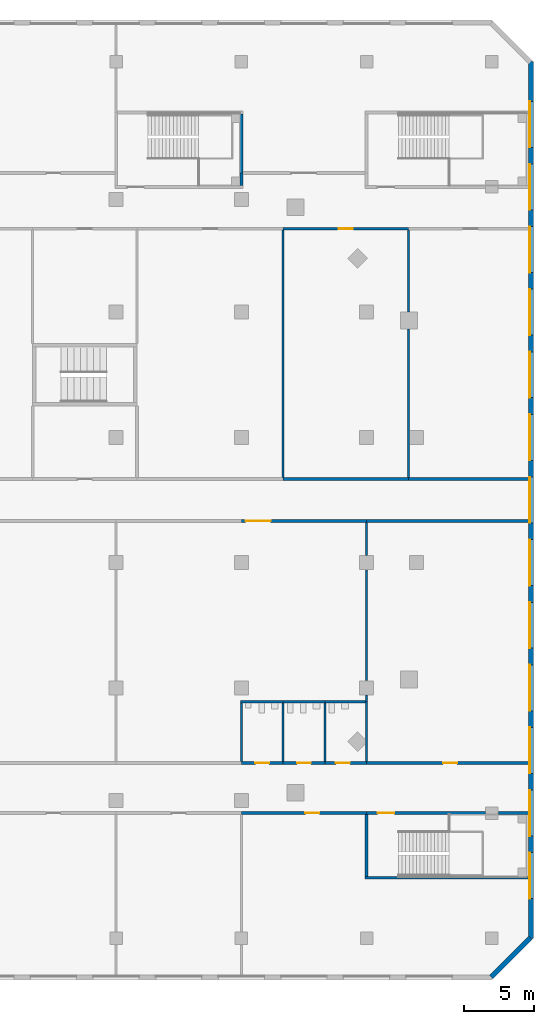
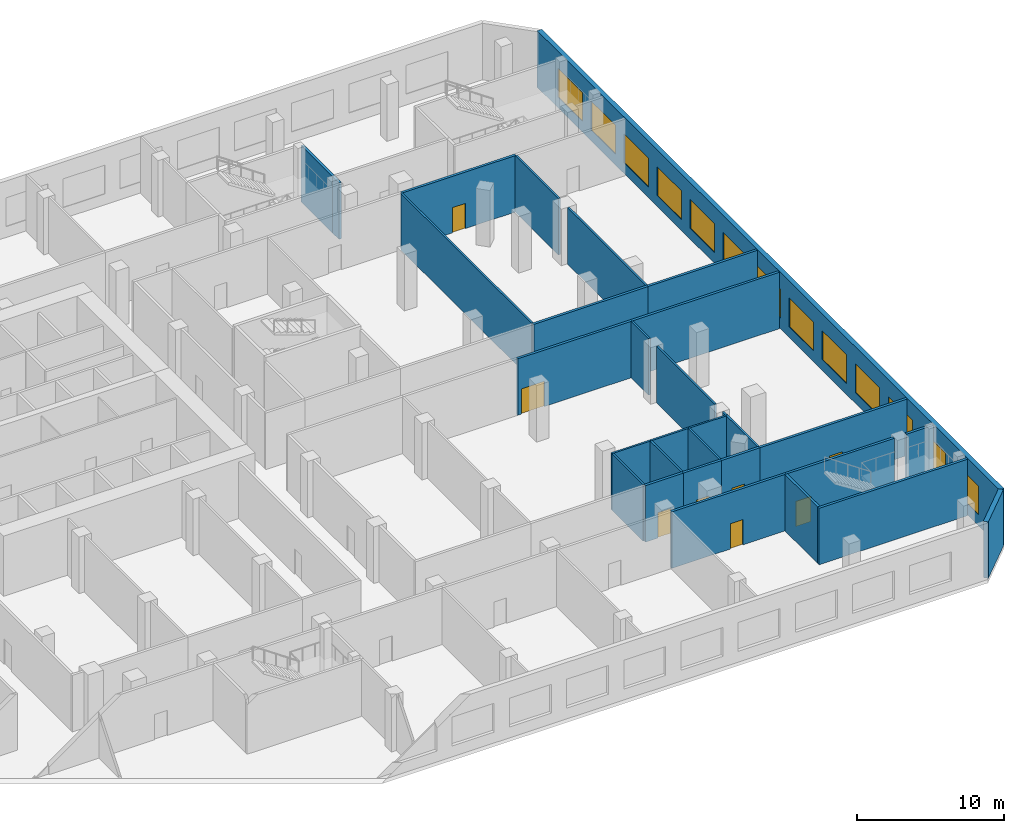
# One storey, part 13 of 21: 31 walls, 13 windows, 8 doors, 21 openings.
"""IFC4 building model written with IfcOpenShell, lengths in metres."""

import ifcopenshell
import ifcopenshell.guid

model = None  # the IFC model being written
_history = None  # IfcOwnerHistory: only IFC2X3 demands one
_inside = {}  # id of a spatial element -> (the spatial element, [elements in it])
_under = {}  # id of a project, library or spatial element -> (it, [spatial elements below it])
_declared = {}  # id of a project -> (the project, [libraries it declares])
_typed = {}  # id of a type object -> (the type object, [elements of that type])
_made_of = {}  # id of a material, layer set ... -> (it, [elements and type objects made of it])


def new_model(schema):
    """Start an empty IFC model of exactly this schema.

    Asked for "IFC4X3", IfcOpenShell would pick the latest addendum, in which some entities
    have other attributes; the version numbers below select the first issue.
    IFC2X3 requires an IfcOwnerHistory on every rooted entity: one is made here for all.
    """
    global model, _history
    if schema == "IFC4X3":
        model = ifcopenshell.file(schema_version=(4, 3, 0, 0))
    else:
        model = ifcopenshell.file(schema=schema)
    _inside.clear()
    _under.clear()
    _declared.clear()
    _typed.clear()
    _made_of.clear()
    _history = None
    if model.schema == "IFC2X3":
        org = make("IfcOrganization", Name="unknown")
        user = make(
            "IfcPersonAndOrganization",
            ThePerson=make("IfcPerson", FamilyName="unknown"),
            TheOrganization=org,
        )
        app = make(
            "IfcApplication",
            ApplicationDeveloper=org,
            Version="unknown",
            ApplicationFullName="unknown",
            ApplicationIdentifier="unknown",
        )
        _history = make(
            "IfcOwnerHistory",
            OwningUser=user,
            OwningApplication=app,
            ChangeAction="ADDED",
            CreationDate=0,
        )
    return model


def make(cls, **values):
    """One entity of the class cls with the attributes given. An attribute that is None is left unset."""
    return model.create_entity(
        cls, **{name: value for name, value in values.items() if value is not None}
    )


def rooted(cls, **values):
    """An entity with a GlobalId (a new one), such as an element, a storey or a relation."""
    return make(cls, GlobalId=ifcopenshell.guid.new(), OwnerHistory=_history, **values)


def si_unit(unit_type, name, prefix=None):
    """IfcSIUnit, for example si_unit("LENGTHUNIT", "METRE", prefix="MILLI")."""
    return make("IfcSIUnit", UnitType=unit_type, Prefix=prefix, Name=name)


def assignment(units):
    """IfcUnitAssignment: the units of a project."""
    return None if units is None else make("IfcUnitAssignment", Units=units)


def point(xyz):
    """IfcCartesianPoint."""
    return None if xyz is None else make("IfcCartesianPoint", Coordinates=xyz)


def direction(xyz):
    """IfcDirection."""
    return None if xyz is None else make("IfcDirection", DirectionRatios=xyz)


def frame(location, z_axis=None, x_axis=None):
    """IfcAxis2Placement3D, a coordinate frame: its origin and axes. An axis left out is left unset."""
    return make(
        "IfcAxis2Placement3D",
        Location=point(location),
        Axis=direction(z_axis),
        RefDirection=direction(x_axis),
    )


def frame_2d(location, x_axis=None):
    """IfcAxis2Placement2D, a coordinate frame in the plane: its origin and x axis."""
    return make(
        "IfcAxis2Placement2D", Location=point(location), RefDirection=direction(x_axis)
    )


def origin():
    """The frame at (0, 0, 0) with its axes left unset."""
    return frame((0.0, 0.0, 0.0))


def place(relative_to, where):
    """IfcLocalPlacement: puts the frame where relative to a parent placement (None: the world)."""
    return make(
        "IfcLocalPlacement", PlacementRelTo=relative_to, RelativePlacement=where
    )


def context(
    kind, dimensions, precision=None, world=None, true_north=None, identifier=None
):
    """IfcGeometricRepresentationContext, for example the 3D "Model" context."""
    return make(
        "IfcGeometricRepresentationContext",
        ContextIdentifier=identifier,
        ContextType=kind,
        CoordinateSpaceDimension=dimensions,
        Precision=precision,
        WorldCoordinateSystem=world,
        TrueNorth=true_north,
    )


def subcontext(parent, identifier, kind, view, scale=None):
    """IfcGeometricRepresentationSubContext, for example "Body" below "Model"."""
    return make(
        "IfcGeometricRepresentationSubContext",
        ContextIdentifier=identifier,
        ContextType=kind,
        ParentContext=parent,
        TargetScale=scale,
        TargetView=view,
    )


def project(units=None, contexts=None):
    """IfcProject with its units and contexts."""
    return rooted(
        "IfcProject",
        Name="project",
        RepresentationContexts=contexts,
        UnitsInContext=assignment(units),
    )


def spatial(cls, under=None, at=None, **own):
    """A site, building, storey or space (cls), placed at a placement, below another one or the project."""
    s = rooted(cls, ObjectPlacement=at, **own)
    if under is not None:
        _under.setdefault(under.id(), (under, []))[1].append(s)
    return s


def profile(cls, at=None, kind="AREA", **sizes):
    """A parametric profile (cls). Its sizes go by their IFC names, for example OverallWidth=200.0."""
    return make(cls, ProfileType=kind, Position=at, **sizes)


def rectangle(**sizes):
    """IfcRectangleProfileDef."""
    return profile("IfcRectangleProfileDef", **sizes)


def extrude(swept, where, along, depth):
    """IfcExtrudedAreaSolid: the profile swept, set in the frame where, extruded along a direction by depth."""
    return make(
        "IfcExtrudedAreaSolid",
        SweptArea=swept,
        Position=where,
        ExtrudedDirection=direction(along),
        Depth=depth,
    )


def shape(context_of_items, identifier, shape_type, items):
    """IfcShapeRepresentation: the items that make up one representation, for example the "Body"."""
    return make(
        "IfcShapeRepresentation",
        ContextOfItems=context_of_items,
        RepresentationIdentifier=identifier,
        RepresentationType=shape_type,
        Items=items,
    )


def material(Name=None, Category=None):
    """IfcMaterial."""
    return make("IfcMaterial", Name=Name, Category=Category)


def layer(
    of_material, thickness, ventilated=None, Name=None, Category=None, Priority=None
):
    """IfcMaterialLayer: one layer of a wall or slab, of a material (None: an air gap)."""
    return make(
        "IfcMaterialLayer",
        Material=of_material,
        LayerThickness=thickness,
        IsVentilated=ventilated,
        Name=Name,
        Category=Category,
        Priority=Priority,
    )


def layer_set(layers, Name=None):
    """IfcMaterialLayerSet."""
    return make("IfcMaterialLayerSet", MaterialLayers=layers, LayerSetName=Name)


def made_of(thing, what):
    """Note that an element or type object is made of a material, layer set ...; save() writes the relation."""
    if what is not None:
        _made_of.setdefault(what.id(), (what, []))[1].append(thing)
    return thing


def type_object(cls, material=None, **own):
    """A type object (cls), such as IfcWallType, which elements share."""
    return made_of(rooted(cls, **own), material)


def element(
    cls,
    number,
    at=None,
    inside=None,
    cuts=None,
    type_object=None,
    material=None,
    context=None,
    identifier="Body",
    shape_type=None,
    held_by="IfcProductDefinitionShape",
    body=None,
    shapes=None,
    **own,
):
    """One element of the class cls, such as IfcWall. Its Tag is "e" and its number.

    at: its placement. inside: the storey or other place that contains it. cuts: it is an
    opening in that element (IfcRelVoidsElement). A single representation is given by context,
    identifier, shape_type and body (its items); several are given by shapes. held_by: the class
    of the entity that holds the representations. save() writes the other relations.
    """
    e = rooted(cls, Tag="e%d" % number, ObjectPlacement=at, **own)
    if body is not None:
        shapes = [shape(context, identifier, shape_type, body)]
    if shapes is not None:
        e.Representation = make(held_by, Representations=shapes)
    if inside is not None:
        _inside.setdefault(inside.id(), (inside, []))[1].append(e)
    if cuts is not None:
        rooted(
            "IfcRelVoidsElement", RelatingBuildingElement=cuts, RelatedOpeningElement=e
        )
    if type_object is not None:
        _typed.setdefault(type_object.id(), (type_object, []))[1].append(e)
    return made_of(e, material)


def fill(opening, filler):
    """IfcRelFillsElement: the door or window that sits in an opening."""
    return rooted(
        "IfcRelFillsElement",
        RelatingOpeningElement=opening,
        RelatedBuildingElement=filler,
    )


def aggregate(whole, parts):
    """IfcRelAggregates: a whole, such as a stair, and the parts it consists of."""
    return rooted("IfcRelAggregates", RelatingObject=whole, RelatedObjects=parts)


def save(model, path):
    """Write the relations noted so far, then the file.

    IfcRelAggregates (storeys below a building ...), IfcRelContainedInSpatialStructure (elements
    in a storey), IfcRelDefinesByType, IfcRelAssociatesMaterial and IfcRelDeclares: one each for
    every whole, place, type object, material and project.
    """
    for whole, parts in _under.values():
        aggregate(whole, parts)
    for where, things in _inside.values():
        rooted(
            "IfcRelContainedInSpatialStructure",
            RelatedElements=things,
            RelatingStructure=where,
        )
    for kind, things in _typed.values():
        rooted("IfcRelDefinesByType", RelatedObjects=things, RelatingType=kind)
    for what, things in _made_of.values():
        rooted("IfcRelAssociatesMaterial", RelatedObjects=things, RelatingMaterial=what)
    for by, libraries in _declared.values():
        rooted("IfcRelDeclares", RelatingContext=by, RelatedDefinitions=libraries)
    model.write(path)


model = new_model("IFC4")

# Units and contexts
model_context = context("Model", 3, precision=1e-05, world=origin(), true_north=direction((0.0, 1.0)))
body_context = subcontext(model_context, "Body", "Model", "MODEL_VIEW")
ifc_project = project(units=[si_unit("LENGTHUNIT", "METRE"), si_unit("AREAUNIT", "SQUARE_METRE"), si_unit("VOLUMEUNIT", "CUBIC_METRE"), si_unit("PLANEANGLEUNIT", "RADIAN"), si_unit("MASSUNIT", "GRAM", prefix="KILO")], contexts=[model_context])

# Site, building, storey
site_placement = place(None, origin())
site = spatial("IfcSite", under=ifc_project, at=site_placement, CompositionType="ELEMENT")
building_placement = place(site_placement, origin())
building = spatial("IfcBuilding", under=site, at=building_placement, Name="Cinnabar Reach Civic Tower", CompositionType="ELEMENT")
storey_placement = place(building_placement, frame((0.0, 0.0, 16.0)))
storey = spatial("IfcBuildingStorey", under=building, at=storey_placement, Name="L03", CompositionType="ELEMENT", Elevation=16.0)

# Wall
ifc_material_1 = material(Name="Facing brick with insulated backing", Category="masonry")
ifc_layer_1 = layer(ifc_material_1, 0.36)
ifc_layer_set_1 = layer_set([ifc_layer_1], Name="Brick corner wall")
wall_type_1 = type_object("IfcWallType", Name="Brick corner wall", PredefinedType="STANDARD", material=ifc_layer_set_1)
wall_1_placement = place(storey_placement, frame((62.9611, -11.7843, 0.0), z_axis=(0.0, 0.0, 1.0), x_axis=(0.707106781187, 0.707106781187, 0.0)))
element("IfcWall", 1, at=wall_1_placement, inside=storey, type_object=wall_type_1, Name="Brick corner wall", PredefinedType="STANDARD", context=body_context, shape_type="SweptSolid", body=[
    extrude(rectangle(XDim=3.9926, YDim=0.36, at=frame_2d((1.9963, 0.0))), origin(), (0.0, 0.0, 1.0), 4.7),
])

# Wall, openings, windows
ifc_layer_2 = layer(ifc_material_1, 0.36)
ifc_layer_set_2 = layer_set([ifc_layer_2], Name="Brick pier and spandrel wall")
wall_type_2 = type_object("IfcWallType", Name="Brick pier and spandrel wall", PredefinedType="STANDARD", material=ifc_layer_set_2)
wall_2_placement = place(storey_placement, frame((65.82, -9.0, 0.0), z_axis=(0.0, 0.0, 1.0), x_axis=(0.0, 1.0, 0.0)))
wall_2 = element("IfcWall", 2, at=wall_2_placement, inside=storey, type_object=wall_type_2, Name="Brick facade wall", PredefinedType="STANDARD", context=body_context, shape_type="SweptSolid", body=[
    extrude(rectangle(XDim=63.0, YDim=0.36, at=frame_2d((31.5, 0.0))), origin(), (0.0, 0.0, 1.0), 4.7),
])
opening_1_placement = place(wall_2_placement, frame((2.85, 0.0, 0.9)))
opening_1 = element("IfcOpeningElement", 3, at=opening_1_placement, cuts=wall_2, Name="Opening W3044", PredefinedType="OPENING", context=body_context, shape_type="SweptSolid", body=[
    extrude(rectangle(XDim=3.3, YDim=2.4, at=frame_2d((1.65, 1.2))), frame((0.0, 0.19, 0.0), z_axis=(0.0, -1.0, 0.0), x_axis=(1.0, 0.0, 0.0)), (0.0, 0.0, 1.0), 0.38),
])
opening_2_placement = place(wall_2_placement, frame((7.35, 0.0, 0.9)))
opening_2 = element("IfcOpeningElement", 4, at=opening_2_placement, cuts=wall_2, Name="Opening W3045", PredefinedType="OPENING", context=body_context, shape_type="SweptSolid", body=[
    extrude(rectangle(XDim=3.3, YDim=2.4, at=frame_2d((1.65, 1.2))), frame((0.0, 0.19, 0.0), z_axis=(0.0, -1.0, 0.0), x_axis=(1.0, 0.0, 0.0)), (0.0, 0.0, 1.0), 0.38),
])
opening_3_placement = place(wall_2_placement, frame((11.85, 0.0, 0.9)))
opening_3 = element("IfcOpeningElement", 5, at=opening_3_placement, cuts=wall_2, Name="Opening W3046", PredefinedType="OPENING", context=body_context, shape_type="SweptSolid", body=[
    extrude(rectangle(XDim=3.3, YDim=2.4, at=frame_2d((1.65, 1.2))), frame((0.0, 0.19, 0.0), z_axis=(0.0, -1.0, 0.0), x_axis=(1.0, 0.0, 0.0)), (0.0, 0.0, 1.0), 0.38),
])
opening_4_placement = place(wall_2_placement, frame((16.35, 0.0, 0.9)))
opening_4 = element("IfcOpeningElement", 6, at=opening_4_placement, cuts=wall_2, Name="Opening W3047", PredefinedType="OPENING", context=body_context, shape_type="SweptSolid", body=[
    extrude(rectangle(XDim=3.3, YDim=2.4, at=frame_2d((1.65, 1.2))), frame((0.0, 0.19, 0.0), z_axis=(0.0, -1.0, 0.0), x_axis=(1.0, 0.0, 0.0)), (0.0, 0.0, 1.0), 0.38),
])
opening_5_placement = place(wall_2_placement, frame((20.85, 0.0, 0.9)))
opening_5 = element("IfcOpeningElement", 7, at=opening_5_placement, cuts=wall_2, Name="Opening W3048", PredefinedType="OPENING", context=body_context, shape_type="SweptSolid", body=[
    extrude(rectangle(XDim=3.3, YDim=2.4, at=frame_2d((1.65, 1.2))), frame((0.0, 0.19, 0.0), z_axis=(0.0, -1.0, 0.0), x_axis=(1.0, 0.0, 0.0)), (0.0, 0.0, 1.0), 0.38),
])
opening_6_placement = place(wall_2_placement, frame((25.35, 0.0, 0.9)))
opening_6 = element("IfcOpeningElement", 8, at=opening_6_placement, cuts=wall_2, Name="Opening W3049", PredefinedType="OPENING", context=body_context, shape_type="SweptSolid", body=[
    extrude(rectangle(XDim=3.3, YDim=2.4, at=frame_2d((1.65, 1.2))), frame((0.0, 0.19, 0.0), z_axis=(0.0, -1.0, 0.0), x_axis=(1.0, 0.0, 0.0)), (0.0, 0.0, 1.0), 0.38),
])
opening_7_placement = place(wall_2_placement, frame((29.85, 0.0, 0.9)))
opening_7 = element("IfcOpeningElement", 9, at=opening_7_placement, cuts=wall_2, Name="Opening W3050", PredefinedType="OPENING", context=body_context, shape_type="SweptSolid", body=[
    extrude(rectangle(XDim=3.3, YDim=2.4, at=frame_2d((1.65, 1.2))), frame((0.0, 0.19, 0.0), z_axis=(0.0, -1.0, 0.0), x_axis=(1.0, 0.0, 0.0)), (0.0, 0.0, 1.0), 0.38),
])
opening_8_placement = place(wall_2_placement, frame((34.35, 0.0, 0.9)))
opening_8 = element("IfcOpeningElement", 10, at=opening_8_placement, cuts=wall_2, Name="Opening W3051", PredefinedType="OPENING", context=body_context, shape_type="SweptSolid", body=[
    extrude(rectangle(XDim=3.3, YDim=2.4, at=frame_2d((1.65, 1.2))), frame((0.0, 0.19, 0.0), z_axis=(0.0, -1.0, 0.0), x_axis=(1.0, 0.0, 0.0)), (0.0, 0.0, 1.0), 0.38),
])
opening_9_placement = place(wall_2_placement, frame((38.85, 0.0, 0.9)))
opening_9 = element("IfcOpeningElement", 11, at=opening_9_placement, cuts=wall_2, Name="Opening W3052", PredefinedType="OPENING", context=body_context, shape_type="SweptSolid", body=[
    extrude(rectangle(XDim=3.3, YDim=2.4, at=frame_2d((1.65, 1.2))), frame((0.0, 0.19, 0.0), z_axis=(0.0, -1.0, 0.0), x_axis=(1.0, 0.0, 0.0)), (0.0, 0.0, 1.0), 0.38),
])
opening_10_placement = place(wall_2_placement, frame((43.35, 0.0, 0.9)))
opening_10 = element("IfcOpeningElement", 12, at=opening_10_placement, cuts=wall_2, Name="Opening W3053", PredefinedType="OPENING", context=body_context, shape_type="SweptSolid", body=[
    extrude(rectangle(XDim=3.3, YDim=2.4, at=frame_2d((1.65, 1.2))), frame((0.0, 0.19, 0.0), z_axis=(0.0, -1.0, 0.0), x_axis=(1.0, 0.0, 0.0)), (0.0, 0.0, 1.0), 0.38),
])
opening_11_placement = place(wall_2_placement, frame((47.85, 0.0, 0.9)))
opening_11 = element("IfcOpeningElement", 13, at=opening_11_placement, cuts=wall_2, Name="Opening W3054", PredefinedType="OPENING", context=body_context, shape_type="SweptSolid", body=[
    extrude(rectangle(XDim=3.3, YDim=2.4, at=frame_2d((1.65, 1.2))), frame((0.0, 0.19, 0.0), z_axis=(0.0, -1.0, 0.0), x_axis=(1.0, 0.0, 0.0)), (0.0, 0.0, 1.0), 0.38),
])
opening_12_placement = place(wall_2_placement, frame((52.35, 0.0, 0.9)))
opening_12 = element("IfcOpeningElement", 14, at=opening_12_placement, cuts=wall_2, Name="Opening W3055", PredefinedType="OPENING", context=body_context, shape_type="SweptSolid", body=[
    extrude(rectangle(XDim=3.3, YDim=2.4, at=frame_2d((1.65, 1.2))), frame((0.0, 0.19, 0.0), z_axis=(0.0, -1.0, 0.0), x_axis=(1.0, 0.0, 0.0)), (0.0, 0.0, 1.0), 0.38),
])
opening_13_placement = place(wall_2_placement, frame((56.85, 0.0, 0.9)))
opening_13 = element("IfcOpeningElement", 15, at=opening_13_placement, cuts=wall_2, Name="Opening W3056", PredefinedType="OPENING", context=body_context, shape_type="SweptSolid", body=[
    extrude(rectangle(XDim=3.3, YDim=2.4, at=frame_2d((1.65, 1.2))), frame((0.0, 0.19, 0.0), z_axis=(0.0, -1.0, 0.0), x_axis=(1.0, 0.0, 0.0)), (0.0, 0.0, 1.0), 0.38),
])
ifc_material_2 = material(Name="Clear double glazing in aluminium frame", Category="aluminium")
window_type = type_object("IfcWindowType", Name="Podium window P", PartitioningType="SINGLE_PANEL", PredefinedType="WINDOW", material=ifc_material_2)
window_1_placement = place(opening_1_placement, origin())
window_1 = element("IfcWindow", 16, at=window_1_placement, inside=storey, type_object=window_type, Name="Window east face", OverallHeight=2.4, OverallWidth=3.3, PartitioningType="SINGLE_PANEL", PredefinedType="WINDOW", context=body_context, shape_type="SweptSolid", body=[
    extrude(rectangle(XDim=3.3, YDim=2.4, at=frame_2d((1.65, 1.2))), frame((0.0, 0.13, 0.0), z_axis=(0.0, -1.0, 0.0), x_axis=(1.0, 0.0, 0.0)), (0.0, 0.0, 1.0), 0.06),
])
fill(opening_1, window_1)
window_2_placement = place(opening_2_placement, origin())
window_2 = element("IfcWindow", 17, at=window_2_placement, inside=storey, type_object=window_type, Name="Window east face", OverallHeight=2.4, OverallWidth=3.3, PartitioningType="SINGLE_PANEL", PredefinedType="WINDOW", context=body_context, shape_type="SweptSolid", body=[
    extrude(rectangle(XDim=3.3, YDim=2.4, at=frame_2d((1.65, 1.2))), frame((0.0, 0.13, 0.0), z_axis=(0.0, -1.0, 0.0), x_axis=(1.0, 0.0, 0.0)), (0.0, 0.0, 1.0), 0.06),
])
fill(opening_2, window_2)
window_3_placement = place(opening_3_placement, origin())
window_3 = element("IfcWindow", 18, at=window_3_placement, inside=storey, type_object=window_type, Name="Window east face", OverallHeight=2.4, OverallWidth=3.3, PartitioningType="SINGLE_PANEL", PredefinedType="WINDOW", context=body_context, shape_type="SweptSolid", body=[
    extrude(rectangle(XDim=3.3, YDim=2.4, at=frame_2d((1.65, 1.2))), frame((0.0, 0.13, 0.0), z_axis=(0.0, -1.0, 0.0), x_axis=(1.0, 0.0, 0.0)), (0.0, 0.0, 1.0), 0.06),
])
fill(opening_3, window_3)
window_4_placement = place(opening_4_placement, origin())
window_4 = element("IfcWindow", 19, at=window_4_placement, inside=storey, type_object=window_type, Name="Window east face", OverallHeight=2.4, OverallWidth=3.3, PartitioningType="SINGLE_PANEL", PredefinedType="WINDOW", context=body_context, shape_type="SweptSolid", body=[
    extrude(rectangle(XDim=3.3, YDim=2.4, at=frame_2d((1.65, 1.2))), frame((0.0, 0.13, 0.0), z_axis=(0.0, -1.0, 0.0), x_axis=(1.0, 0.0, 0.0)), (0.0, 0.0, 1.0), 0.06),
])
fill(opening_4, window_4)
window_5_placement = place(opening_5_placement, origin())
window_5 = element("IfcWindow", 20, at=window_5_placement, inside=storey, type_object=window_type, Name="Window east face", OverallHeight=2.4, OverallWidth=3.3, PartitioningType="SINGLE_PANEL", PredefinedType="WINDOW", context=body_context, shape_type="SweptSolid", body=[
    extrude(rectangle(XDim=3.3, YDim=2.4, at=frame_2d((1.65, 1.2))), frame((0.0, 0.13, 0.0), z_axis=(0.0, -1.0, 0.0), x_axis=(1.0, 0.0, 0.0)), (0.0, 0.0, 1.0), 0.06),
])
fill(opening_5, window_5)
window_6_placement = place(opening_6_placement, origin())
window_6 = element("IfcWindow", 21, at=window_6_placement, inside=storey, type_object=window_type, Name="Window east face", OverallHeight=2.4, OverallWidth=3.3, PartitioningType="SINGLE_PANEL", PredefinedType="WINDOW", context=body_context, shape_type="SweptSolid", body=[
    extrude(rectangle(XDim=3.3, YDim=2.4, at=frame_2d((1.65, 1.2))), frame((0.0, 0.13, 0.0), z_axis=(0.0, -1.0, 0.0), x_axis=(1.0, 0.0, 0.0)), (0.0, 0.0, 1.0), 0.06),
])
fill(opening_6, window_6)
window_7_placement = place(opening_7_placement, origin())
window_7 = element("IfcWindow", 22, at=window_7_placement, inside=storey, type_object=window_type, Name="Window east face", OverallHeight=2.4, OverallWidth=3.3, PartitioningType="SINGLE_PANEL", PredefinedType="WINDOW", context=body_context, shape_type="SweptSolid", body=[
    extrude(rectangle(XDim=3.3, YDim=2.4, at=frame_2d((1.65, 1.2))), frame((0.0, 0.13, 0.0), z_axis=(0.0, -1.0, 0.0), x_axis=(1.0, 0.0, 0.0)), (0.0, 0.0, 1.0), 0.06),
])
fill(opening_7, window_7)
window_8_placement = place(opening_8_placement, origin())
window_8 = element("IfcWindow", 23, at=window_8_placement, inside=storey, type_object=window_type, Name="Window east face", OverallHeight=2.4, OverallWidth=3.3, PartitioningType="SINGLE_PANEL", PredefinedType="WINDOW", context=body_context, shape_type="SweptSolid", body=[
    extrude(rectangle(XDim=3.3, YDim=2.4, at=frame_2d((1.65, 1.2))), frame((0.0, 0.13, 0.0), z_axis=(0.0, -1.0, 0.0), x_axis=(1.0, 0.0, 0.0)), (0.0, 0.0, 1.0), 0.06),
])
fill(opening_8, window_8)
window_9_placement = place(opening_9_placement, origin())
window_9 = element("IfcWindow", 24, at=window_9_placement, inside=storey, type_object=window_type, Name="Window east face", OverallHeight=2.4, OverallWidth=3.3, PartitioningType="SINGLE_PANEL", PredefinedType="WINDOW", context=body_context, shape_type="SweptSolid", body=[
    extrude(rectangle(XDim=3.3, YDim=2.4, at=frame_2d((1.65, 1.2))), frame((0.0, 0.13, 0.0), z_axis=(0.0, -1.0, 0.0), x_axis=(1.0, 0.0, 0.0)), (0.0, 0.0, 1.0), 0.06),
])
fill(opening_9, window_9)
window_10_placement = place(opening_10_placement, origin())
window_10 = element("IfcWindow", 25, at=window_10_placement, inside=storey, type_object=window_type, Name="Window east face", OverallHeight=2.4, OverallWidth=3.3, PartitioningType="SINGLE_PANEL", PredefinedType="WINDOW", context=body_context, shape_type="SweptSolid", body=[
    extrude(rectangle(XDim=3.3, YDim=2.4, at=frame_2d((1.65, 1.2))), frame((0.0, 0.13, 0.0), z_axis=(0.0, -1.0, 0.0), x_axis=(1.0, 0.0, 0.0)), (0.0, 0.0, 1.0), 0.06),
])
fill(opening_10, window_10)
window_11_placement = place(opening_11_placement, origin())
window_11 = element("IfcWindow", 26, at=window_11_placement, inside=storey, type_object=window_type, Name="Window east face", OverallHeight=2.4, OverallWidth=3.3, PartitioningType="SINGLE_PANEL", PredefinedType="WINDOW", context=body_context, shape_type="SweptSolid", body=[
    extrude(rectangle(XDim=3.3, YDim=2.4, at=frame_2d((1.65, 1.2))), frame((0.0, 0.13, 0.0), z_axis=(0.0, -1.0, 0.0), x_axis=(1.0, 0.0, 0.0)), (0.0, 0.0, 1.0), 0.06),
])
fill(opening_11, window_11)
window_12_placement = place(opening_12_placement, origin())
window_12 = element("IfcWindow", 27, at=window_12_placement, inside=storey, type_object=window_type, Name="Window east face", OverallHeight=2.4, OverallWidth=3.3, PartitioningType="SINGLE_PANEL", PredefinedType="WINDOW", context=body_context, shape_type="SweptSolid", body=[
    extrude(rectangle(XDim=3.3, YDim=2.4, at=frame_2d((1.65, 1.2))), frame((0.0, 0.13, 0.0), z_axis=(0.0, -1.0, 0.0), x_axis=(1.0, 0.0, 0.0)), (0.0, 0.0, 1.0), 0.06),
])
fill(opening_12, window_12)
window_13_placement = place(opening_13_placement, origin())
window_13 = element("IfcWindow", 28, at=window_13_placement, inside=storey, type_object=window_type, Name="Window east face", OverallHeight=2.4, OverallWidth=3.3, PartitioningType="SINGLE_PANEL", PredefinedType="WINDOW", context=body_context, shape_type="SweptSolid", body=[
    extrude(rectangle(XDim=3.3, YDim=2.4, at=frame_2d((1.65, 1.2))), frame((0.0, 0.13, 0.0), z_axis=(0.0, -1.0, 0.0), x_axis=(1.0, 0.0, 0.0)), (0.0, 0.0, 1.0), 0.06),
])
fill(opening_13, window_13)

# Wall, opening, door
ifc_material_3 = material(Name="Concrete blockwork", Category="masonry")
ifc_layer_3 = layer(ifc_material_3, 0.2)
ifc_layer_set_3 = layer_set([ifc_layer_3], Name="Podium masonry corridor wall 200 EI 120")
wall_type_3 = type_object("IfcWallType", Name="Podium masonry corridor wall 200 EI 120", PredefinedType="PARTITIONING", material=ifc_layer_set_3)
wall_3_placement = place(storey_placement, frame((45.0, 0.0, 0.0), z_axis=(0.0, 0.0, 1.0), x_axis=(1.0, 0.0, 0.0)))
wall_3 = element("IfcWall", 29, at=wall_3_placement, inside=storey, type_object=wall_type_3, Name="Wall L03 54", PredefinedType="PARTITIONING", context=body_context, shape_type="SweptSolid", body=[
    extrude(rectangle(XDim=9.0, YDim=0.2, at=frame_2d((4.5, 0.0))), origin(), (0.0, 0.0, 1.0), 4.7),
])
opening_14_placement = place(wall_3_placement, frame((4.6, 0.0, 0.0)))
opening_14 = element("IfcOpeningElement", 30, at=opening_14_placement, cuts=wall_3, Name="Opening D1177", PredefinedType="OPENING", context=body_context, shape_type="SweptSolid", body=[
    extrude(rectangle(XDim=1.0, YDim=2.1, at=frame_2d((0.5, 1.05))), frame((0.0, 0.11, 0.0), z_axis=(0.0, -1.0, 0.0), x_axis=(1.0, 0.0, 0.0)), (0.0, 0.0, 1.0), 0.22),
])
ifc_material_4 = material(Name="Painted steel door leaf", Category="steel")
door_type_1 = type_object("IfcDoorType", Name="Podium single door 1000x2100", OperationType="SINGLE_SWING_LEFT", PredefinedType="DOOR", material=ifc_material_4)
door_1_placement = place(opening_14_placement, frame((1.0, 0.0, 0.0), z_axis=(0.0, 0.0, 1.0), x_axis=(-1.0, 0.0, 0.0)))
door_1 = element("IfcDoor", 31, at=door_1_placement, inside=storey, type_object=door_type_1, Name="Door D1177", OperationType="SINGLE_SWING_LEFT", OverallHeight=2.1, OverallWidth=1.0, PredefinedType="DOOR", context=body_context, shape_type="SweptSolid", body=[
    extrude(rectangle(XDim=1.0, YDim=2.1, at=frame_2d((0.5, 1.05))), frame((0.0, 0.025, 0.0), z_axis=(0.0, -1.0, 0.0), x_axis=(1.0, 0.0, 0.0)), (0.0, 0.0, 1.0), 0.05),
])
fill(opening_14, door_1)

wall_4_placement = place(storey_placement, frame((45.0, 3.6, 0.0), z_axis=(0.0, 0.0, 1.0), x_axis=(1.0, 0.0, 0.0)))
wall_4 = element("IfcWall", 32, at=wall_4_placement, inside=storey, type_object=wall_type_3, Name="Wall L03 61", PredefinedType="PARTITIONING", context=body_context, shape_type="SweptSolid", body=[
    extrude(rectangle(XDim=3.0, YDim=0.2, at=frame_2d((1.5, 0.0))), origin(), (0.0, 0.0, 1.0), 4.7),
])
opening_15_placement = place(wall_4_placement, frame((1.0, 0.0, 0.0)))
opening_15 = element("IfcOpeningElement", 33, at=opening_15_placement, cuts=wall_4, Name="Opening D1189", PredefinedType="OPENING", context=body_context, shape_type="SweptSolid", body=[
    extrude(rectangle(XDim=1.0, YDim=2.1, at=frame_2d((0.5, 1.05))), frame((0.0, 0.11, 0.0), z_axis=(0.0, -1.0, 0.0), x_axis=(1.0, 0.0, 0.0)), (0.0, 0.0, 1.0), 0.22),
])
door_2_placement = place(opening_15_placement, origin())
door_2 = element("IfcDoor", 34, at=door_2_placement, inside=storey, type_object=door_type_1, Name="Door D1189", OperationType="SINGLE_SWING_LEFT", OverallHeight=2.1, OverallWidth=1.0, PredefinedType="DOOR", context=body_context, shape_type="SweptSolid", body=[
    extrude(rectangle(XDim=1.0, YDim=2.1, at=frame_2d((0.5, 1.05))), frame((0.0, 0.025, 0.0), z_axis=(0.0, -1.0, 0.0), x_axis=(1.0, 0.0, 0.0)), (0.0, 0.0, 1.0), 0.05),
])
fill(opening_15, door_2)

wall_5_placement = place(storey_placement, frame((48.0, 3.6, 0.0), z_axis=(0.0, 0.0, 1.0), x_axis=(1.0, 0.0, 0.0)))
wall_5 = element("IfcWall", 35, at=wall_5_placement, inside=storey, type_object=wall_type_3, Name="Wall L03 62", PredefinedType="PARTITIONING", context=body_context, shape_type="SweptSolid", body=[
    extrude(rectangle(XDim=3.0, YDim=0.2, at=frame_2d((1.5, 0.0))), origin(), (0.0, 0.0, 1.0), 4.7),
])
opening_16_placement = place(wall_5_placement, frame((1.0, 0.0, 0.0)))
opening_16 = element("IfcOpeningElement", 36, at=opening_16_placement, cuts=wall_5, Name="Opening D1190", PredefinedType="OPENING", context=body_context, shape_type="SweptSolid", body=[
    extrude(rectangle(XDim=1.0, YDim=2.1, at=frame_2d((0.5, 1.05))), frame((0.0, 0.11, 0.0), z_axis=(0.0, -1.0, 0.0), x_axis=(1.0, 0.0, 0.0)), (0.0, 0.0, 1.0), 0.22),
])
door_3_placement = place(opening_16_placement, origin())
door_3 = element("IfcDoor", 37, at=door_3_placement, inside=storey, type_object=door_type_1, Name="Door D1190", OperationType="SINGLE_SWING_LEFT", OverallHeight=2.1, OverallWidth=1.0, PredefinedType="DOOR", context=body_context, shape_type="SweptSolid", body=[
    extrude(rectangle(XDim=1.0, YDim=2.1, at=frame_2d((0.5, 1.05))), frame((0.0, 0.025, 0.0), z_axis=(0.0, -1.0, 0.0), x_axis=(1.0, 0.0, 0.0)), (0.0, 0.0, 1.0), 0.05),
])
fill(opening_16, door_3)

wall_6_placement = place(storey_placement, frame((51.0, 3.6, 0.0), z_axis=(0.0, 0.0, 1.0), x_axis=(1.0, 0.0, 0.0)))
wall_6 = element("IfcWall", 38, at=wall_6_placement, inside=storey, type_object=wall_type_3, Name="Wall L03 63", PredefinedType="PARTITIONING", context=body_context, shape_type="SweptSolid", body=[
    extrude(rectangle(XDim=3.0, YDim=0.2, at=frame_2d((1.5, 0.0))), origin(), (0.0, 0.0, 1.0), 4.7),
])
opening_17_placement = place(wall_6_placement, frame((0.8, 0.0, 0.0)))
opening_17 = element("IfcOpeningElement", 39, at=opening_17_placement, cuts=wall_6, Name="Opening D1191", PredefinedType="OPENING", context=body_context, shape_type="SweptSolid", body=[
    extrude(rectangle(XDim=1.0, YDim=2.1, at=frame_2d((0.5, 1.05))), frame((0.0, 0.11, 0.0), z_axis=(0.0, -1.0, 0.0), x_axis=(1.0, 0.0, 0.0)), (0.0, 0.0, 1.0), 0.22),
])
door_4_placement = place(opening_17_placement, origin())
door_4 = element("IfcDoor", 40, at=door_4_placement, inside=storey, type_object=door_type_1, Name="Door D1191", OperationType="SINGLE_SWING_RIGHT", OverallHeight=2.1, OverallWidth=1.0, PredefinedType="DOOR", context=body_context, shape_type="SweptSolid", body=[
    extrude(rectangle(XDim=1.0, YDim=2.1, at=frame_2d((0.5, 1.05))), frame((0.0, 0.025, 0.0), z_axis=(0.0, -1.0, 0.0), x_axis=(1.0, 0.0, 0.0)), (0.0, 0.0, 1.0), 0.05),
])
fill(opening_17, door_4)

wall_7_placement = place(storey_placement, frame((54.0, 3.6, 0.0), z_axis=(0.0, 0.0, 1.0), x_axis=(1.0, 0.0, 0.0)))
wall_7 = element("IfcWall", 41, at=wall_7_placement, inside=storey, type_object=wall_type_3, Name="Wall L03 64", PredefinedType="PARTITIONING", context=body_context, shape_type="SweptSolid", body=[
    extrude(rectangle(XDim=11.6, YDim=0.2, at=frame_2d((5.8, 0.0))), origin(), (0.0, 0.0, 1.0), 4.7),
])
opening_18_placement = place(wall_7_placement, frame((5.5, 0.0, 0.0)))
opening_18 = element("IfcOpeningElement", 42, at=opening_18_placement, cuts=wall_7, Name="Opening D1192", PredefinedType="OPENING", context=body_context, shape_type="SweptSolid", body=[
    extrude(rectangle(XDim=1.0, YDim=2.1, at=frame_2d((0.5, 1.05))), frame((0.0, 0.11, 0.0), z_axis=(0.0, -1.0, 0.0), x_axis=(1.0, 0.0, 0.0)), (0.0, 0.0, 1.0), 0.22),
])
door_5_placement = place(opening_18_placement, origin())
door_5 = element("IfcDoor", 43, at=door_5_placement, inside=storey, type_object=door_type_1, Name="Door D1192", OperationType="SINGLE_SWING_RIGHT", OverallHeight=2.1, OverallWidth=1.0, PredefinedType="DOOR", context=body_context, shape_type="SweptSolid", body=[
    extrude(rectangle(XDim=1.0, YDim=2.1, at=frame_2d((0.5, 1.05))), frame((0.0, 0.025, 0.0), z_axis=(0.0, -1.0, 0.0), x_axis=(1.0, 0.0, 0.0)), (0.0, 0.0, 1.0), 0.05),
])
fill(opening_18, door_5)

wall_8_placement = place(storey_placement, frame((48.0, 42.0, 0.0), z_axis=(0.0, 0.0, 1.0), x_axis=(1.0, 0.0, 0.0)))
wall_8 = element("IfcWall", 44, at=wall_8_placement, inside=storey, type_object=wall_type_3, Name="Wall L03 98", PredefinedType="PARTITIONING", context=body_context, shape_type="SweptSolid", body=[
    extrude(rectangle(XDim=9.0, YDim=0.2, at=frame_2d((4.5, 0.0))), origin(), (0.0, 0.0, 1.0), 4.7),
])
opening_19_placement = place(wall_8_placement, frame((4.0, 0.0, 0.0)))
opening_19 = element("IfcOpeningElement", 45, at=opening_19_placement, cuts=wall_8, Name="Opening D1202", PredefinedType="OPENING", context=body_context, shape_type="SweptSolid", body=[
    extrude(rectangle(XDim=1.0, YDim=2.1, at=frame_2d((0.5, 1.05))), frame((0.0, 0.11, 0.0), z_axis=(0.0, -1.0, 0.0), x_axis=(1.0, 0.0, 0.0)), (0.0, 0.0, 1.0), 0.22),
])
door_6_placement = place(opening_19_placement, frame((1.0, 0.0, 0.0), z_axis=(0.0, 0.0, 1.0), x_axis=(-1.0, 0.0, 0.0)))
door_6 = element("IfcDoor", 46, at=door_6_placement, inside=storey, type_object=door_type_1, Name="Door D1202", OperationType="SINGLE_SWING_LEFT", OverallHeight=2.1, OverallWidth=1.0, PredefinedType="DOOR", context=body_context, shape_type="SweptSolid", body=[
    extrude(rectangle(XDim=1.0, YDim=2.1, at=frame_2d((0.5, 1.05))), frame((0.0, 0.025, 0.0), z_axis=(0.0, -1.0, 0.0), x_axis=(1.0, 0.0, 0.0)), (0.0, 0.0, 1.0), 0.05),
])
fill(opening_19, door_6)

wall_9_placement = place(storey_placement, frame((45.0, 21.0, 0.0), z_axis=(0.0, 0.0, 1.0), x_axis=(1.0, 0.0, 0.0)))
wall_9 = element("IfcWall", 47, at=wall_9_placement, inside=storey, type_object=wall_type_3, Name="Wall L03 113", PredefinedType="PARTITIONING", context=body_context, shape_type="SweptSolid", body=[
    extrude(rectangle(XDim=9.0, YDim=0.2, at=frame_2d((4.5, 0.0))), origin(), (0.0, 0.0, 1.0), 4.7),
])
opening_20_placement = place(wall_9_placement, frame((0.3, 0.0, 0.0)))
opening_20 = element("IfcOpeningElement", 48, at=opening_20_placement, cuts=wall_9, Name="Opening D1188", PredefinedType="OPENING", context=body_context, shape_type="SweptSolid", body=[
    extrude(rectangle(XDim=1.8, YDim=2.1, at=frame_2d((0.9, 1.05))), frame((0.0, 0.11, 0.0), z_axis=(0.0, -1.0, 0.0), x_axis=(1.0, 0.0, 0.0)), (0.0, 0.0, 1.0), 0.22),
])
door_type_2 = type_object("IfcDoorType", Name="Podium double door 1800x2100", OperationType="DOUBLE_DOOR_SINGLE_SWING", PredefinedType="DOOR", material=ifc_material_4)
door_7_placement = place(opening_20_placement, frame((1.8, 0.0, 0.0), z_axis=(0.0, 0.0, 1.0), x_axis=(-1.0, 0.0, 0.0)))
door_7 = element("IfcDoor", 49, at=door_7_placement, inside=storey, type_object=door_type_2, Name="Door D1188", OperationType="DOUBLE_DOOR_SINGLE_SWING", OverallHeight=2.1, OverallWidth=1.8, PredefinedType="DOOR", context=body_context, shape_type="SweptSolid", body=[
    extrude(rectangle(XDim=1.8, YDim=2.1, at=frame_2d((0.9, 1.05))), frame((0.0, 0.025, 0.0), z_axis=(0.0, -1.0, 0.0), x_axis=(1.0, 0.0, 0.0)), (0.0, 0.0, 1.0), 0.05),
])
fill(opening_20, door_7)

# Walls
wall_10_placement = place(storey_placement, frame((54.0, 21.0, 0.0), z_axis=(0.0, 0.0, 1.0), x_axis=(1.0, 0.0, 0.0)))
element("IfcWall", 50, at=wall_10_placement, inside=storey, type_object=wall_type_3, Name="Wall L03 115", PredefinedType="PARTITIONING", context=body_context, shape_type="SweptSolid", body=[
    extrude(rectangle(XDim=11.6, YDim=0.2, at=frame_2d((5.8, 0.0))), origin(), (0.0, 0.0, 1.0), 4.7),
])
wall_11_placement = place(storey_placement, frame((48.0, 24.0, 0.0), z_axis=(0.0, 0.0, 1.0), x_axis=(1.0, 0.0, 0.0)))
element("IfcWall", 51, at=wall_11_placement, inside=storey, type_object=wall_type_3, Name="Wall L03 119", PredefinedType="PARTITIONING", context=body_context, shape_type="SweptSolid", body=[
    extrude(rectangle(XDim=9.0, YDim=0.2, at=frame_2d((4.5, 0.0))), origin(), (0.0, 0.0, 1.0), 4.7),
])
wall_12_placement = place(storey_placement, frame((57.0, 24.0, 0.0), z_axis=(0.0, 0.0, 1.0), x_axis=(1.0, 0.0, 0.0)))
element("IfcWall", 52, at=wall_12_placement, inside=storey, type_object=wall_type_3, Name="Wall L03 120", PredefinedType="PARTITIONING", context=body_context, shape_type="SweptSolid", body=[
    extrude(rectangle(XDim=8.6, YDim=0.2, at=frame_2d((4.3, 0.0))), origin(), (0.0, 0.0, 1.0), 4.7),
])
ifc_material_5 = material(Name="Gypsum board on steel studs", Category="steel")
ifc_layer_4 = layer(ifc_material_5, 0.15)
ifc_layer_set_4 = layer_set([ifc_layer_4], Name="Podium partition wall 150 EI 90")
wall_type_4 = type_object("IfcWallType", Name="Podium partition wall 150 EI 90", PredefinedType="PARTITIONING", material=ifc_layer_set_4)
wall_13_placement = place(storey_placement, frame((44.925, 8.0, 0.0), z_axis=(0.0, 0.0, 1.0), x_axis=(1.0, 0.0, 0.0)))
element("IfcWall", 53, at=wall_13_placement, inside=storey, type_object=wall_type_4, Name="Wall L03 190", PredefinedType="PARTITIONING", context=body_context, shape_type="SweptSolid", body=[
    extrude(rectangle(XDim=3.075, YDim=0.15, at=frame_2d((1.5375, 0.0))), origin(), (0.0, 0.0, 1.0), 4.7),
])
wall_14_placement = place(storey_placement, frame((45.0, 3.7, 0.0), z_axis=(0.0, 0.0, 1.0), x_axis=(0.0, 1.0, 0.0)))
element("IfcWall", 54, at=wall_14_placement, inside=storey, type_object=wall_type_4, Name="Wall L03 191", PredefinedType="PARTITIONING", context=body_context, shape_type="SweptSolid", body=[
    extrude(rectangle(XDim=4.225, YDim=0.15, at=frame_2d((2.1125, 0.0))), origin(), (0.0, 0.0, 1.0), 4.7),
])
wall_15_placement = place(storey_placement, frame((48.0, 8.0, 0.0), z_axis=(0.0, 0.0, 1.0), x_axis=(1.0, 0.0, 0.0)))
element("IfcWall", 55, at=wall_15_placement, inside=storey, type_object=wall_type_4, Name="Wall L03 192", PredefinedType="PARTITIONING", context=body_context, shape_type="SweptSolid", body=[
    extrude(rectangle(XDim=3.0, YDim=0.15, at=frame_2d((1.5, 0.0))), origin(), (0.0, 0.0, 1.0), 4.7),
])
wall_16_placement = place(storey_placement, frame((51.0, 8.0, 0.0), z_axis=(0.0, 0.0, 1.0), x_axis=(1.0, 0.0, 0.0)))
element("IfcWall", 56, at=wall_16_placement, inside=storey, type_object=wall_type_4, Name="Wall L03 193", PredefinedType="PARTITIONING", context=body_context, shape_type="SweptSolid", body=[
    extrude(rectangle(XDim=2.925, YDim=0.15, at=frame_2d((1.4625, 0.0))), origin(), (0.0, 0.0, 1.0), 4.7),
])
wall_17_placement = place(storey_placement, frame((54.0, 8.0, 0.0), z_axis=(0.0, 0.0, 1.0), x_axis=(0.0, 1.0, 0.0)))
element("IfcWall", 57, at=wall_17_placement, inside=storey, type_object=wall_type_4, Name="Wall L03 194", PredefinedType="PARTITIONING", context=body_context, shape_type="SweptSolid", body=[
    extrude(rectangle(XDim=0.48, YDim=0.15, at=frame_2d((0.24, 0.0))), origin(), (0.0, 0.0, 1.0), 4.7),
])
wall_18_placement = place(storey_placement, frame((54.0, 9.52, 0.0), z_axis=(0.0, 0.0, 1.0), x_axis=(0.0, 1.0, 0.0)))
element("IfcWall", 58, at=wall_18_placement, inside=storey, type_object=wall_type_4, Name="Wall L03 195", PredefinedType="PARTITIONING", context=body_context, shape_type="SweptSolid", body=[
    extrude(rectangle(XDim=7.96, YDim=0.15, at=frame_2d((3.98, 0.0))), origin(), (0.0, 0.0, 1.0), 4.7),
])
wall_19_placement = place(storey_placement, frame((54.0, 18.52, 0.0), z_axis=(0.0, 0.0, 1.0), x_axis=(0.0, 1.0, 0.0)))
element("IfcWall", 59, at=wall_19_placement, inside=storey, type_object=wall_type_4, Name="Wall L03 196", PredefinedType="PARTITIONING", context=body_context, shape_type="SweptSolid", body=[
    extrude(rectangle(XDim=2.38, YDim=0.15, at=frame_2d((1.19, 0.0))), origin(), (0.0, 0.0, 1.0), 4.7),
])
for number, where, z_axis, x_axis, name in (
    (60, (48.0, 3.7, 0.0), (0.0, 0.0, 1.0), (0.0, 1.0, 0.0), "Wall L03 197"),
    (61, (51.0, 3.7, 0.0), (0.0, 0.0, 1.0), (0.0, 1.0, 0.0), "Wall L03 198"),
):
    element("IfcWall", number, at=place(storey_placement, frame(where, z_axis=z_axis, x_axis=x_axis)), inside=storey, type_object=wall_type_4, Name=name, PredefinedType="PARTITIONING", context=body_context, shape_type="SweptSolid", body=[
        extrude(rectangle(XDim=4.225, YDim=0.15, at=frame_2d((2.1125, 0.0))), origin(), (0.0, 0.0, 1.0), 4.7),
    ])
wall_20_placement = place(storey_placement, frame((54.0, 3.7, 0.0), z_axis=(0.0, 0.0, 1.0), x_axis=(0.0, 1.0, 0.0)))
element("IfcWall", 62, at=wall_20_placement, inside=storey, type_object=wall_type_4, Name="Wall L03 199", PredefinedType="PARTITIONING", context=body_context, shape_type="SweptSolid", body=[
    extrude(rectangle(XDim=4.3, YDim=0.15, at=frame_2d((2.15, 0.0))), origin(), (0.0, 0.0, 1.0), 4.7),
])
wall_21_placement = place(storey_placement, frame((48.0, 24.1, 0.0), z_axis=(0.0, 0.0, 1.0), x_axis=(0.0, 1.0, 0.0)))
element("IfcWall", 63, at=wall_21_placement, inside=storey, type_object=wall_type_4, Name="Wall L03 209", PredefinedType="PARTITIONING", context=body_context, shape_type="SweptSolid", body=[
    extrude(rectangle(XDim=17.8, YDim=0.15, at=frame_2d((8.9, 0.0))), origin(), (0.0, 0.0, 1.0), 4.7),
])
wall_22_placement = place(storey_placement, frame((57.0, 24.1, 0.0), z_axis=(0.0, 0.0, 1.0), x_axis=(0.0, 1.0, 0.0)))
element("IfcWall", 64, at=wall_22_placement, inside=storey, type_object=wall_type_4, Name="Wall L03 210", PredefinedType="PARTITIONING", context=body_context, shape_type="SweptSolid", body=[
    extrude(rectangle(XDim=10.6781, YDim=0.15, at=frame_2d((5.3391, 0.0))), origin(), (0.0, 0.0, 1.0), 4.7),
])
wall_23_placement = place(storey_placement, frame((57.0, 36.0181, 0.0), z_axis=(0.0, 0.0, 1.0), x_axis=(0.0, 1.0, 0.0)))
element("IfcWall", 65, at=wall_23_placement, inside=storey, type_object=wall_type_4, Name="Wall L03 211", PredefinedType="PARTITIONING", context=body_context, shape_type="SweptSolid", body=[
    extrude(rectangle(XDim=5.8819, YDim=0.15, at=frame_2d((2.9409, 0.0))), origin(), (0.0, 0.0, 1.0), 4.7),
])

# Wall, opening, door
ifc_material_6 = material(Name="Concrete C40", Category="concrete")
ifc_layer_5 = layer(ifc_material_6, 0.2)
ifc_layer_set_5 = layer_set([ifc_layer_5], Name="Podium stair shaft wall 200 EI 120")
wall_type_5 = type_object("IfcWallType", Name="Podium stair shaft wall 200 EI 120", PredefinedType="SOLIDWALL", material=ifc_layer_set_5)
wall_24_placement = place(storey_placement, frame((54.0, 0.0, 0.0), z_axis=(0.0, 0.0, 1.0), x_axis=(1.0, 0.0, 0.0)))
wall_24 = element("IfcWall", 66, at=wall_24_placement, inside=storey, type_object=wall_type_5, Name="Wall L03 13", PredefinedType="SOLIDWALL", context=body_context, shape_type="SweptSolid", body=[
    extrude(rectangle(XDim=8.53, YDim=0.2, at=frame_2d((4.265, 0.0))), origin(), (0.0, 0.0, 1.0), 4.7),
])
opening_21_placement = place(wall_24_placement, frame((0.8, 0.0, 0.0)))
opening_21 = element("IfcOpeningElement", 67, at=opening_21_placement, cuts=wall_24, Name="Opening D1216", PredefinedType="OPENING", context=body_context, shape_type="SweptSolid", body=[
    extrude(rectangle(XDim=1.2, YDim=2.1, at=frame_2d((0.6, 1.05))), frame((0.0, 0.11, 0.0), z_axis=(0.0, -1.0, 0.0), x_axis=(1.0, 0.0, 0.0)), (0.0, 0.0, 1.0), 0.22),
])
door_type_3 = type_object("IfcDoorType", Name="Podium single door 1200x2100", OperationType="SINGLE_SWING_LEFT", PredefinedType="DOOR", material=ifc_material_4)
door_8_placement = place(opening_21_placement, frame((1.2, 0.0, 0.0), z_axis=(0.0, 0.0, 1.0), x_axis=(-1.0, 0.0, 0.0)))
door_8 = element("IfcDoor", 68, at=door_8_placement, inside=storey, type_object=door_type_3, Name="Door D1216", OperationType="SINGLE_SWING_RIGHT", OverallHeight=2.1, OverallWidth=1.2, PredefinedType="DOOR", context=body_context, shape_type="SweptSolid", body=[
    extrude(rectangle(XDim=1.2, YDim=2.1, at=frame_2d((0.6, 1.05))), frame((0.0, 0.025, 0.0), z_axis=(0.0, -1.0, 0.0), x_axis=(1.0, 0.0, 0.0)), (0.0, 0.0, 1.0), 0.05),
])
fill(opening_21, door_8)

# Walls
wall_25_placement = place(storey_placement, frame((63.47, 0.0, 0.0), z_axis=(0.0, 0.0, 1.0), x_axis=(1.0, 0.0, 0.0)))
element("IfcWall", 69, at=wall_25_placement, inside=storey, type_object=wall_type_5, Name="Wall L03 14", PredefinedType="SOLIDWALL", context=body_context, shape_type="SweptSolid", body=[
    extrude(rectangle(XDim=2.13, YDim=0.2, at=frame_2d((1.065, 0.0))), origin(), (0.0, 0.0, 1.0), 4.7),
])
wall_26_placement = place(storey_placement, frame((54.0, -4.55, 0.0), z_axis=(0.0, 0.0, 1.0), x_axis=(0.0, 1.0, 0.0)))
element("IfcWall", 70, at=wall_26_placement, inside=storey, type_object=wall_type_5, Name="Wall L03 15", PredefinedType="SOLIDWALL", context=body_context, shape_type="SweptSolid", body=[
    extrude(rectangle(XDim=4.45, YDim=0.2, at=frame_2d((2.225, 0.0))), origin(), (0.0, 0.0, 1.0), 4.7),
])
wall_27_placement = place(storey_placement, frame((53.9, -4.65, 0.0), z_axis=(0.0, 0.0, 1.0), x_axis=(1.0, 0.0, 0.0)))
element("IfcWall", 71, at=wall_27_placement, inside=storey, type_object=wall_type_5, Name="Wall L03 16", PredefinedType="SOLIDWALL", context=body_context, shape_type="SweptSolid", body=[
    extrude(rectangle(XDim=11.7, YDim=0.2, at=frame_2d((5.85, 0.0))), origin(), (0.0, 0.0, 1.0), 4.7),
])
wall_28_placement = place(storey_placement, frame((45.0, 45.1, 0.0), z_axis=(0.0, 0.0, 1.0), x_axis=(0.0, 1.0, 0.0)))
element("IfcWall", 72, at=wall_28_placement, inside=storey, type_object=wall_type_5, Name="Wall L03 22", PredefinedType="SOLIDWALL", context=body_context, shape_type="SweptSolid", body=[
    extrude(rectangle(XDim=0.9, YDim=0.2, at=frame_2d((0.45, 0.0))), origin(), (0.0, 0.0, 1.0), 4.7),
])
wall_29_placement = place(storey_placement, frame((45.0, 46.0, 0.0), z_axis=(0.0, 0.0, 1.0), x_axis=(0.0, 1.0, 0.0)))
element("IfcWall", 73, at=wall_29_placement, inside=storey, type_object=wall_type_5, Name="Wall L03 27", PredefinedType="SOLIDWALL", context=body_context, shape_type="SweptSolid", body=[
    extrude(rectangle(XDim=4.25, YDim=0.2, at=frame_2d((2.125, 0.0))), origin(), (0.0, 0.0, 1.0), 4.7),
])

save(model, "model.ifc")
